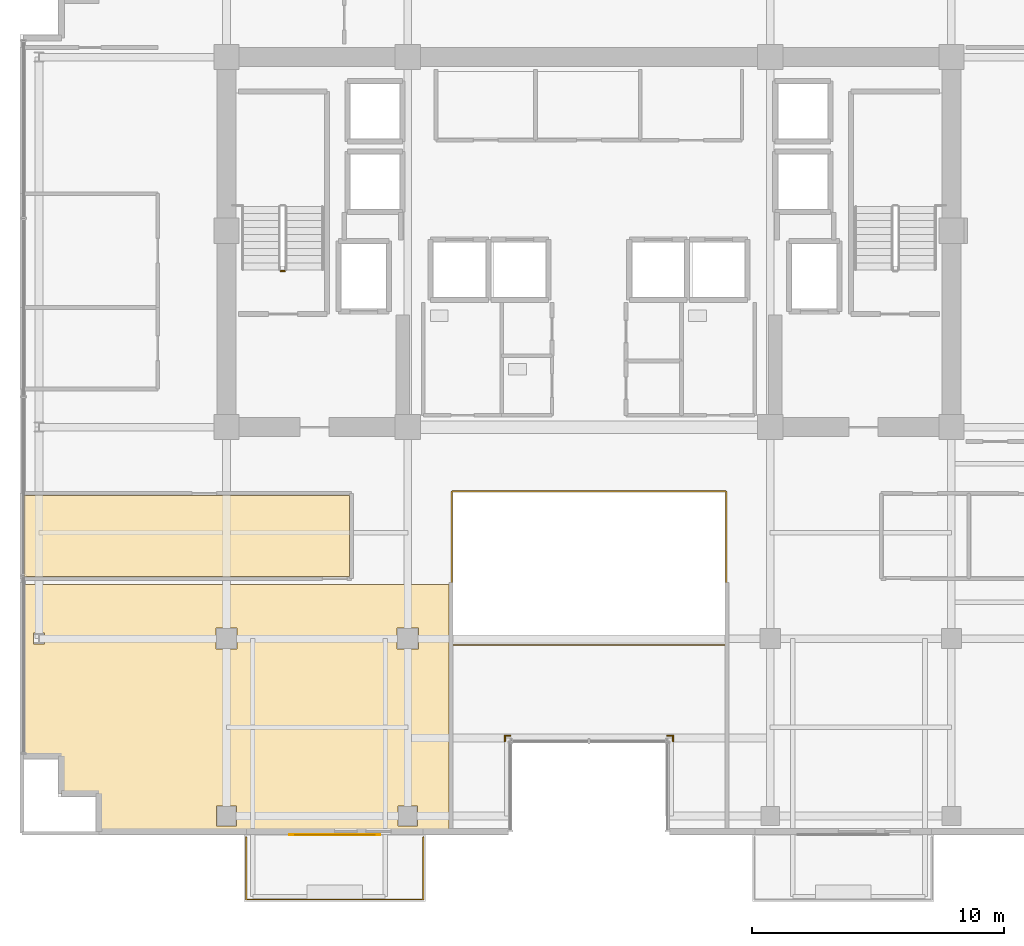
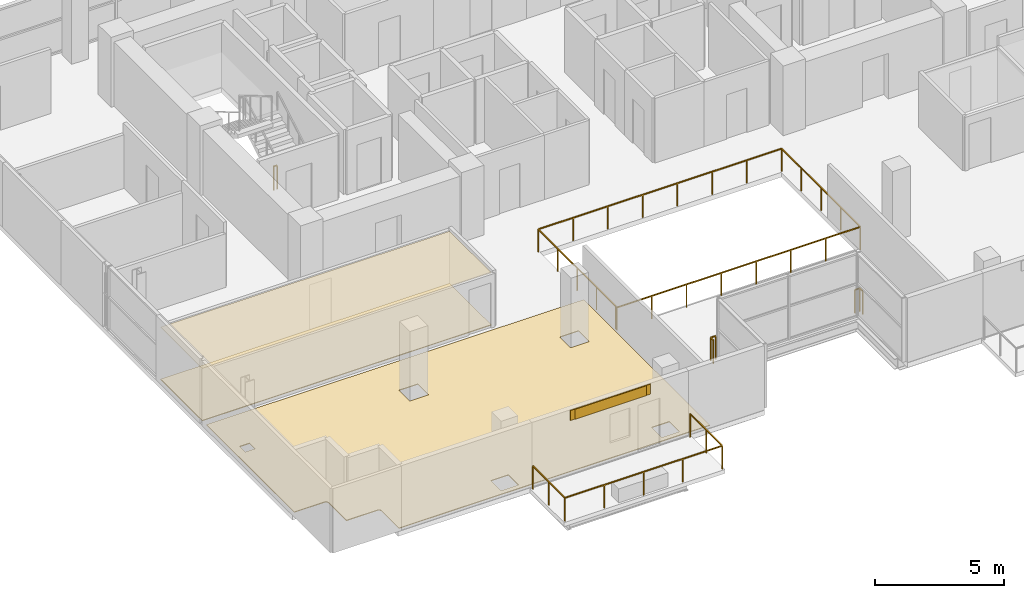
# One storey, part 19 of 22: 7 railings, 4 coverings, 1 shading device.
"""IFC4 building model written with IfcOpenShell, lengths in metres."""

from ifc_helpers import new_model, si_unit, direction, frame, origin, origin_2d, place, context, subcontext, project, spatial, polyline, rectangle, outline, extrude, source, transform, mapped, material, layer, layer_set, type_object, element, save


model = new_model("IFC4")

# Units and contexts
model_context = context("Model", 3, precision=1e-05, world=origin(), true_north=direction((0.0, 1.0)))
body_context = subcontext(model_context, "Body", "Model", "MODEL_VIEW")
ifc_project = project(units=[si_unit("LENGTHUNIT", "METRE"), si_unit("AREAUNIT", "SQUARE_METRE"), si_unit("VOLUMEUNIT", "CUBIC_METRE"), si_unit("PLANEANGLEUNIT", "RADIAN"), si_unit("MASSUNIT", "GRAM", prefix="KILO")], contexts=[model_context])

# Site, building, storey
site_placement = place(None, origin())
site = spatial("IfcSite", under=ifc_project, at=site_placement, CompositionType="ELEMENT")
building_placement = place(site_placement, origin())
building = spatial("IfcBuilding", under=site, at=building_placement, Name="Zarnakvel Exchange Tower", CompositionType="ELEMENT")
storey_placement = place(building_placement, frame((0.0, 0.0, 195.699951171875)))
storey = spatial("IfcBuildingStorey", under=building, at=storey_placement, Name="L55", CompositionType="ELEMENT", Elevation=195.699951171875)

# Coverings
ifc_material_1 = material(Name="Perforated Bronze Acoustic Metal Ceiling", Category="aluminium")
ifc_layer_1 = layer(ifc_material_1, 0.02001953125)
ifc_layer_set_1 = layer_set([ifc_layer_1], Name="Perforated Bronze Acoustic Metal Ceiling")
covering_type_1 = type_object("IfcCoveringType", Name="CLG-01", PredefinedType="CEILING", material=ifc_layer_set_1)
covering_1_placement = place(storey_placement, frame((0.0, 0.0, 2.47998046875)))
element("IfcCovering", 1, at=covering_1_placement, inside=storey, type_object=covering_type_1, Name="L55 Suspended Acoustic Ceiling (Sovereign Wealth Office)", PredefinedType="CEILING", context=body_context, shape_type="SweptSolid", body=[
    extrude(outline(polyline([(-22.449951171875, -3.909912109375), (-9.510009765625, -3.909912109375), (-9.510009765625, -7.139892578125), (-22.449951171875, -7.139892578125), (-22.449951171875, -3.909912109375)])), origin(), (0.0, 0.0, 1.0), 0.02001953125),
])
ifc_material_2 = material(Name="Heavy-Duty Raised Access Floor Panel", Category="steel")
ifc_layer_2 = layer(ifc_material_2, 0.034912109375)
ifc_layer_set_2 = layer_set([ifc_layer_2], Name="Heavy-Duty Raised Access Floor Panel")
covering_type_2 = type_object("IfcCoveringType", Name="FLR-02", PredefinedType="FLOORING", material=ifc_layer_set_2)
covering_2_placement = place(storey_placement, origin())
element("IfcCovering", 2, at=covering_2_placement, inside=storey, type_object=covering_type_2, Name="L55 Floor Finish (Sovereign Wealth Office)", PredefinedType="FLOORING", context=body_context, shape_type="SweptSolid", body=[
    extrude(outline(polyline([(-22.449951171875, -3.909912109375), (-9.510009765625, -3.909912109375), (-9.510009765625, -7.139892578125), (-22.449951171875, -7.139892578125), (-22.449951171875, -3.909912109375)])), origin(), (0.0, 0.0, 1.0), 0.03515625),
])
covering_3_placement = place(storey_placement, origin())
element("IfcCovering", 3, at=covering_3_placement, inside=storey, type_object=covering_type_2, Name="L55 Floor Finish (Sovereign Wealth Office)", PredefinedType="FLOORING", context=body_context, shape_type="SweptSolid", body=[
    extrude(outline(polyline([(-5.56005859375, -7.4599609375), (-5.56005859375, -17.25), (-19.47998046875, -17.25), (-19.47998046875, -15.89990234375), (-19.48046875, -15.88818359375), (-19.482421875, -15.876708984375), (-19.485107421875, -15.865234375), (-19.489013671875, -15.85400390625), (-19.494140625, -15.843505859375), (-19.500244140625, -15.833251953125), (-19.50732421875, -15.823974609375), (-19.51513671875, -15.815185546875), (-19.52392578125, -15.80712890625), (-19.533447265625, -15.80029296875), (-19.54345703125, -15.794189453125), (-19.55419921875, -15.7890625), (-19.565185546875, -15.78515625), (-19.57666015625, -15.7822265625), (-19.588134765625, -15.780517578125), (-19.60009765625, -15.780029296875), (-20.97998046875, -15.780029296875), (-20.97998046875, -14.39990234375), (-20.98046875, -14.38818359375), (-20.982421875, -14.376708984375), (-20.985107421875, -14.365234375), (-20.989013671875, -14.35400390625), (-20.994140625, -14.343505859375), (-21.000244140625, -14.333251953125), (-21.00732421875, -14.323974609375), (-21.01513671875, -14.315185546875), (-21.02392578125, -14.30712890625), (-21.033447265625, -14.30029296875), (-21.04345703125, -14.294189453125), (-21.05419921875, -14.2890625), (-21.065185546875, -14.28515625), (-21.07666015625, -14.2822265625), (-21.088134765625, -14.280517578125), (-21.10009765625, -14.280029296875), (-22.449951171875, -14.280029296875), (-22.449951171875, -7.4599609375), (-5.56005859375, -7.4599609375)]), holes=[polyline([(-6.780029296875, -10.02001953125), (-6.780029296875, -9.179931640625), (-7.6201171875, -9.179931640625), (-7.6201171875, -10.02001953125), (-6.780029296875, -10.02001953125)]), polyline([(-6.804931640625, -17.044921875), (-6.804931640625, -16.2548828125), (-7.594970703125, -16.2548828125), (-7.594970703125, -17.044921875), (-6.804931640625, -17.044921875)]), polyline([(-13.97998046875, -10.02001953125), (-13.97998046875, -9.179931640625), (-14.820068359375, -9.179931640625), (-14.820068359375, -10.02001953125), (-13.97998046875, -10.02001953125)]), polyline([(-14.0048828125, -16.2548828125), (-14.794921875, -16.2548828125), (-14.794921875, -17.044921875), (-14.0048828125, -17.044921875), (-14.0048828125, -16.2548828125)]), polyline([(-21.630615234375, -9.81689453125), (-21.630615234375, -9.38330078125), (-22.069580078125, -9.38330078125), (-22.069580078125, -9.81689453125), (-21.630615234375, -9.81689453125)])]), origin(), (0.0, 0.0, 1.0), 0.03515625),
])

# Railings
ifc_material_3 = material(Name="Architectural Bronze Anodised Aluminium", Category="aluminium")
railing_type_1 = type_object("IfcRailingType", Name="GR-02", PredefinedType="GUARDRAIL", material=ifc_material_3)
railing_1_placement = place(storey_placement, frame((-13.6201171875, -17.47998046875, -0.034912109375)))
element("IfcRailing", 4, at=railing_1_placement, inside=storey, type_object=railing_type_1, Name="L55 Balcony Guardrail BAL-L55-SW", PredefinedType="GUARDRAIL", context=body_context, shape_type="SweptSolid", body=[
    extrude(rectangle(XDim=0.048095703125, YDim=0.048095703125, at=origin_2d()), frame((0.0, 0.0, 1.09619140625), z_axis=(0.0, -1.0, 0.0), x_axis=(1.0, 0.0, 0.0)), (0.0, 0.0, 1.0), 2.489990234375),
    extrude(rectangle(XDim=0.048095703125, YDim=0.048095703125, at=origin_2d()), frame((0.0, -2.489990234375, 1.09619140625), z_axis=(1.0, 0.0, 0.0), x_axis=(0.0, 1.0, 0.0)), (0.0, 0.0, 1.0), 7.0400390625),
    extrude(rectangle(XDim=0.048095703125, YDim=0.048095703125, at=origin_2d()), frame((7.0400390625, -2.489990234375, 1.09619140625), z_axis=(0.0, 1.0, 0.0), x_axis=(-1.0, 0.0, 0.0)), (0.0, 0.0, 1.0), 2.489990234375),
    extrude(rectangle(XDim=0.0419921875, YDim=0.0419921875, at=origin_2d()), origin(), (0.0, 0.0, 1.0), 1.072021484375),
    extrude(rectangle(XDim=0.0419921875, YDim=0.0419921875, at=origin_2d()), frame((0.0, -1.2451171875, 0.0)), (0.0, 0.0, 1.0), 1.072021484375),
    extrude(rectangle(XDim=0.0419921875, YDim=0.0419921875, at=origin_2d()), frame((0.0, -2.489990234375, 0.0)), (0.0, 0.0, 1.0), 1.072021484375),
    extrude(rectangle(XDim=0.0419921875, YDim=0.0419921875, at=origin_2d()), frame((1.760009765625, -2.489990234375, 0.0)), (0.0, 0.0, 1.0), 1.072021484375),
    extrude(rectangle(XDim=0.0419921875, YDim=0.0419921875, at=origin_2d()), frame((3.52001953125, -2.489990234375, 0.0)), (0.0, 0.0, 1.0), 1.072021484375),
    extrude(rectangle(XDim=0.0419921875, YDim=0.0419921875, at=origin_2d()), frame((5.280029296875, -2.489990234375, 0.0)), (0.0, 0.0, 1.0), 1.072021484375),
    extrude(rectangle(XDim=0.0419921875, YDim=0.0419921875, at=origin_2d()), frame((7.0400390625, -2.489990234375, 0.0)), (0.0, 0.0, 1.0), 1.072021484375),
    extrude(rectangle(XDim=0.0419921875, YDim=0.0419921875, at=origin_2d()), frame((7.0400390625, -1.2451171875, 0.0)), (0.0, 0.0, 1.0), 1.072021484375),
    extrude(rectangle(XDim=0.0419921875, YDim=0.0419921875, at=origin_2d()), frame((7.0400390625, 0.0, 0.0)), (0.0, 0.0, 1.0), 1.072021484375),
])
railing_2_placement = place(storey_placement, frame((3.340087890625, -13.679931640625, 0.0)))
element("IfcRailing", 5, at=railing_2_placement, inside=storey, type_object=railing_type_1, Name="L55 Corner Spandrel Balustrade #17", PredefinedType="GUARDRAIL", context=body_context, shape_type="SweptSolid", body=[
    extrude(rectangle(XDim=0.048095703125, YDim=0.048095703125, at=origin_2d()), frame((0.0, 0.0, 1.09619140625), z_axis=(0.0, 1.0, 0.0), x_axis=(-1.0, 0.0, 0.0)), (0.0, 0.0, 1.0), 0.219970703125),
    extrude(rectangle(XDim=0.0419921875, YDim=0.0419921875, at=origin_2d()), origin(), (0.0, 0.0, 1.0), 1.072021484375),
    extrude(rectangle(XDim=0.0419921875, YDim=0.0419921875, at=origin_2d()), frame((0.0, 0.219970703125, 0.0)), (0.0, 0.0, 1.0), 1.072021484375),
])
for number, where, name in (
    (6, (3.340087890625, -13.4599609375, 0.0), "L55 Corner Spandrel Balustrade #18"),
    (7, (-3.1201171875, -13.4599609375, 0.0), "L55 Corner Spandrel Balustrade #19"),
):
    element("IfcRailing", number, at=place(storey_placement, frame(where)), inside=storey, type_object=railing_type_1, Name=name, PredefinedType="GUARDRAIL", context=body_context, shape_type="SweptSolid", body=[
        extrude(rectangle(XDim=0.048095703125, YDim=0.048095703125, at=origin_2d()), frame((0.0, 0.0, 1.09619140625), z_axis=(-1.0, 0.0, 0.0), x_axis=(0.0, -1.0, 0.0)), (0.0, 0.0, 1.0), 0.219970703125),
        extrude(rectangle(XDim=0.0419921875, YDim=0.0419921875, at=origin_2d()), origin(), (0.0, 0.0, 1.0), 1.072021484375),
        extrude(rectangle(XDim=0.0419921875, YDim=0.0419921875, at=origin_2d()), frame((-0.219970703125, 0.0, 0.0)), (0.0, 0.0, 1.0), 1.072021484375),
    ])
railing_3_placement = place(storey_placement, frame((-3.340087890625, -13.4599609375, 0.0)))
element("IfcRailing", 8, at=railing_3_placement, inside=storey, type_object=railing_type_1, Name="L55 Corner Spandrel Balustrade #20", PredefinedType="GUARDRAIL", context=body_context, shape_type="SweptSolid", body=[
    extrude(rectangle(XDim=0.048095703125, YDim=0.048095703125, at=origin_2d()), frame((0.0, 0.0, 1.09619140625), z_axis=(0.0, -1.0, 0.0), x_axis=(1.0, 0.0, 0.0)), (0.0, 0.0, 1.0), 0.219970703125),
    extrude(rectangle(XDim=0.0419921875, YDim=0.0419921875, at=origin_2d()), origin(), (0.0, 0.0, 1.0), 1.072021484375),
    extrude(rectangle(XDim=0.0419921875, YDim=0.0419921875, at=origin_2d()), frame((0.0, -0.219970703125, 0.0)), (0.0, 0.0, 1.0), 1.072021484375),
])
railing_type_2 = type_object("IfcRailingType", Name="GR-03", PredefinedType="GUARDRAIL", material=ifc_material_3)
railing_4_placement = place(storey_placement, frame((-5.449951171875, -9.85009765625, 0.0)))
element("IfcRailing", 9, at=railing_4_placement, inside=storey, type_object=railing_type_2, Name="L55 Atrium Void Perimeter Balustrade", PredefinedType="GUARDRAIL", context=body_context, shape_type="SweptSolid", body=[
    extrude(rectangle(XDim=0.048095703125, YDim=0.048095703125, at=origin_2d()), frame((0.0, 0.0, 1.076171875), z_axis=(1.0, 0.0, 0.0), x_axis=(0.0, 1.0, 0.0)), (0.0, 0.0, 1.0), 10.89990234375),
    extrude(rectangle(XDim=0.048095703125, YDim=0.048095703125, at=origin_2d()), frame((10.89990234375, 0.0, 1.076171875), z_axis=(0.0, 1.0, 0.0), x_axis=(-1.0, 0.0, 0.0)), (0.0, 0.0, 1.0), 6.10009765625),
    extrude(rectangle(XDim=0.048095703125, YDim=0.048095703125, at=origin_2d()), frame((10.89990234375, 6.10009765625, 1.076171875), z_axis=(-1.0, 0.0, 0.0), x_axis=(0.0, -1.0, 0.0)), (0.0, 0.0, 1.0), 10.89990234375),
    extrude(rectangle(XDim=0.048095703125, YDim=0.048095703125, at=origin_2d()), frame((0.0, 6.10009765625, 1.076171875), z_axis=(0.0, -1.0, 0.0), x_axis=(1.0, 0.0, 0.0)), (0.0, 0.0, 1.0), 6.02001953125),
    extrude(rectangle(XDim=0.0419921875, YDim=0.0419921875, at=origin_2d()), origin(), (0.0, 0.0, 1.0), 1.052001953125),
    extrude(rectangle(XDim=0.0419921875, YDim=0.0419921875, at=origin_2d()), frame((1.55712890625, 0.0, 0.0)), (0.0, 0.0, 1.0), 1.052001953125),
    extrude(rectangle(XDim=0.0419921875, YDim=0.0419921875, at=origin_2d()), frame((3.1142578125, 0.0, 0.0)), (0.0, 0.0, 1.0), 1.052001953125),
    extrude(rectangle(XDim=0.0419921875, YDim=0.0419921875, at=origin_2d()), frame((4.67138671875, 0.0, 0.0)), (0.0, 0.0, 1.0), 1.052001953125),
    extrude(rectangle(XDim=0.0419921875, YDim=0.0419921875, at=origin_2d()), frame((6.228515625, 0.0, 0.0)), (0.0, 0.0, 1.0), 1.052001953125),
    extrude(rectangle(XDim=0.0419921875, YDim=0.0419921875, at=origin_2d()), frame((7.78564453125, 0.0, 0.0)), (0.0, 0.0, 1.0), 1.052001953125),
    extrude(rectangle(XDim=0.0419921875, YDim=0.0419921875, at=origin_2d()), frame((9.3427734375, 0.0, 0.0)), (0.0, 0.0, 1.0), 1.052001953125),
    extrude(rectangle(XDim=0.0419921875, YDim=0.0419921875, at=origin_2d()), frame((10.89990234375, 0.0, 0.0)), (0.0, 0.0, 1.0), 1.052001953125),
    extrude(rectangle(XDim=0.0419921875, YDim=0.0419921875, at=origin_2d()), frame((10.89990234375, 1.52490234375, 0.0)), (0.0, 0.0, 1.0), 1.052001953125),
    extrude(rectangle(XDim=0.0419921875, YDim=0.0419921875, at=origin_2d()), frame((10.89990234375, 3.050048828125, 0.0)), (0.0, 0.0, 1.0), 1.052001953125),
    extrude(rectangle(XDim=0.0419921875, YDim=0.0419921875, at=origin_2d()), frame((10.89990234375, 4.5751953125, 0.0)), (0.0, 0.0, 1.0), 1.052001953125),
    extrude(rectangle(XDim=0.0419921875, YDim=0.0419921875, at=origin_2d()), frame((10.89990234375, 6.10009765625, 0.0)), (0.0, 0.0, 1.0), 1.052001953125),
    extrude(rectangle(XDim=0.0419921875, YDim=0.0419921875, at=origin_2d()), frame((9.3427734375, 6.10009765625, 0.0)), (0.0, 0.0, 1.0), 1.052001953125),
    extrude(rectangle(XDim=0.0419921875, YDim=0.0419921875, at=origin_2d()), frame((7.78564453125, 6.10009765625, 0.0)), (0.0, 0.0, 1.0), 1.052001953125),
    extrude(rectangle(XDim=0.0419921875, YDim=0.0419921875, at=origin_2d()), frame((6.228515625, 6.10009765625, 0.0)), (0.0, 0.0, 1.0), 1.052001953125),
    extrude(rectangle(XDim=0.0419921875, YDim=0.0419921875, at=origin_2d()), frame((4.67138671875, 6.10009765625, 0.0)), (0.0, 0.0, 1.0), 1.052001953125),
    extrude(rectangle(XDim=0.0419921875, YDim=0.0419921875, at=origin_2d()), frame((3.1142578125, 6.10009765625, 0.0)), (0.0, 0.0, 1.0), 1.052001953125),
    extrude(rectangle(XDim=0.0419921875, YDim=0.0419921875, at=origin_2d()), frame((1.55712890625, 6.10009765625, 0.0)), (0.0, 0.0, 1.0), 1.052001953125),
    extrude(rectangle(XDim=0.0419921875, YDim=0.0419921875, at=origin_2d()), frame((0.0, 6.10009765625, 0.0)), (0.0, 0.0, 1.0), 1.052001953125),
    extrude(rectangle(XDim=0.0419921875, YDim=0.0419921875, at=origin_2d()), frame((0.0, 4.59521484375, 0.0)), (0.0, 0.0, 1.0), 1.052001953125),
    extrude(rectangle(XDim=0.0419921875, YDim=0.0419921875, at=origin_2d()), frame((0.0, 3.090087890625, 0.0)), (0.0, 0.0, 1.0), 1.052001953125),
    extrude(rectangle(XDim=0.0419921875, YDim=0.0419921875, at=origin_2d()), frame((0.0, 1.5849609375, 0.0)), (0.0, 0.0, 1.0), 1.052001953125),
    extrude(rectangle(XDim=0.0419921875, YDim=0.0419921875, at=origin_2d()), frame((0.0, 0.080078125, 0.0)), (0.0, 0.0, 1.0), 1.052001953125),
])
railing_type_3 = type_object("IfcRailingType", Name="SG-01", PredefinedType="GUARDRAIL", material=ifc_material_3)
railing_5_placement = place(storey_placement, frame((-12.090087890625, 5.0, 0.0)))
element("IfcRailing", 10, at=railing_5_placement, inside=storey, type_object=railing_type_3, Name="L55 ST-01 stair guard 4", PredefinedType="GUARDRAIL", context=body_context, shape_type="SweptSolid", body=[
    extrude(rectangle(XDim=0.048095703125, YDim=0.048095703125, at=origin_2d()), frame((0.0, 0.0, 1.1259765625), z_axis=(-1.0, 0.0, 0.0), x_axis=(0.0, -1.0, 0.0)), (0.0, 0.0, 1.0), 0.159912109375),
    extrude(rectangle(XDim=0.0419921875, YDim=0.0419921875, at=origin_2d()), origin(), (0.0, 0.0, 1.0), 1.101806640625),
    extrude(rectangle(XDim=0.0419921875, YDim=0.0419921875, at=origin_2d()), frame((-0.159912109375, 0.0, 0.0)), (0.0, 0.0, 1.0), 1.101806640625),
])

# Shading device
ifc_material_4 = material(Name="Perforated Architectural Bronze Screen", Category="aluminium")
ifc_layer_3 = layer(ifc_material_4, 0.044921875)
ifc_layer_set_3 = layer_set([ifc_layer_3], Name="Perforated Architectural Bronze Screen")
shading_device_type = type_object("IfcShadingDeviceType", Name="SS-01", PredefinedType="JALOUSIE", material=ifc_layer_set_3)
shared_shape_1 = source(origin(), body_context, "Body", "SweptSolid", [
    extrude(rectangle(XDim=3.199951171875, YDim=0.044921875, at=origin_2d()), origin(), (0.0, 0.0, 1.0), 0.469970703125),
])
shading_device_placement = place(storey_placement, frame((-10.10009765625, -17.400390625, 2.56005859375), z_axis=(0.0, 0.0, 1.0), x_axis=(-1.0, 0.0, 0.0)))
element("IfcShadingDevice", 11, at=shading_device_placement, inside=storey, type_object=shading_device_type, Name="L55 Bronze Solar Shading Screen SS-01", PredefinedType="JALOUSIE", context=body_context, shape_type="MappedRepresentation", body=[
    mapped(shared_shape_1, transform((0.0, 0.0, 0.0), x_axis=(1.0, 0.0, 0.0), y_axis=(0.0, 1.0, 0.0), z_axis=(0.0, 0.0, 1.0), scale=1.0)),
])

# Covering
ifc_material_5 = material(Name="Glazed Turquoise Ceramic Architectural Tile", Category="ceramic")
ifc_layer_4 = layer(ifc_material_5, 0.028076171875)
ifc_layer_set_4 = layer_set([ifc_layer_4], Name="Glazed Turquoise Ceramic Architectural Tile")
covering_type_3 = type_object("IfcCoveringType", Name="CL-01", PredefinedType="CLADDING", material=ifc_layer_set_4)
shared_shape_2 = source(origin(), body_context, "Body", "SweptSolid", [
    extrude(rectangle(XDim=3.60009765625, YDim=0.028076171875, at=origin_2d()), origin(), (0.0, 0.0, 1.0), 0.469970703125),
])
covering_4_placement = place(storey_placement, frame((-10.10009765625, -17.39208984375, 2.56005859375), z_axis=(0.0, 0.0, 1.0), x_axis=(-1.0, 0.0, 0.0)))
element("IfcCovering", 12, at=covering_4_placement, inside=storey, type_object=covering_type_3, Name="L55 Ceramic Spandrel Tilework CL-01", PredefinedType="CLADDING", context=body_context, shape_type="MappedRepresentation", body=[
    mapped(shared_shape_2, transform((0.0, 0.0, 0.0), x_axis=(1.0, 0.0, 0.0), y_axis=(0.0, 1.0, 0.0), z_axis=(0.0, 0.0, 1.0), scale=1.0)),
])

save(model, "model.ifc")
